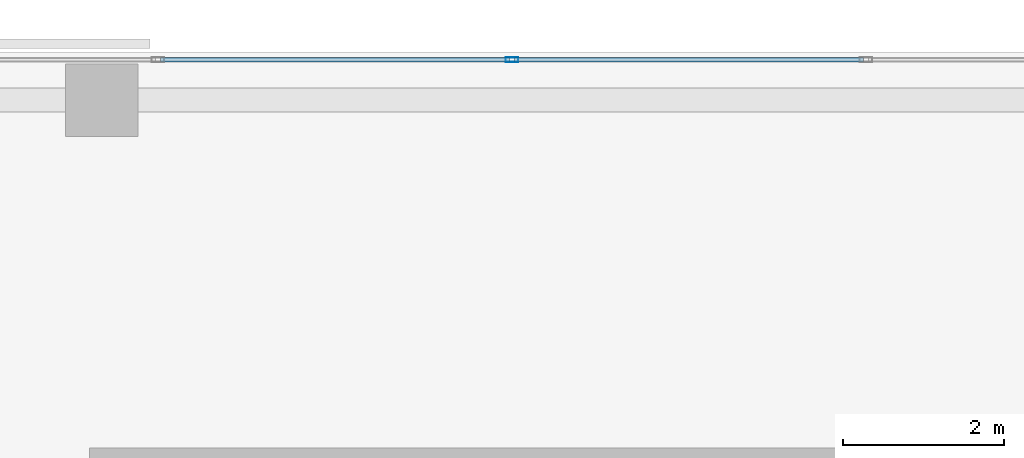
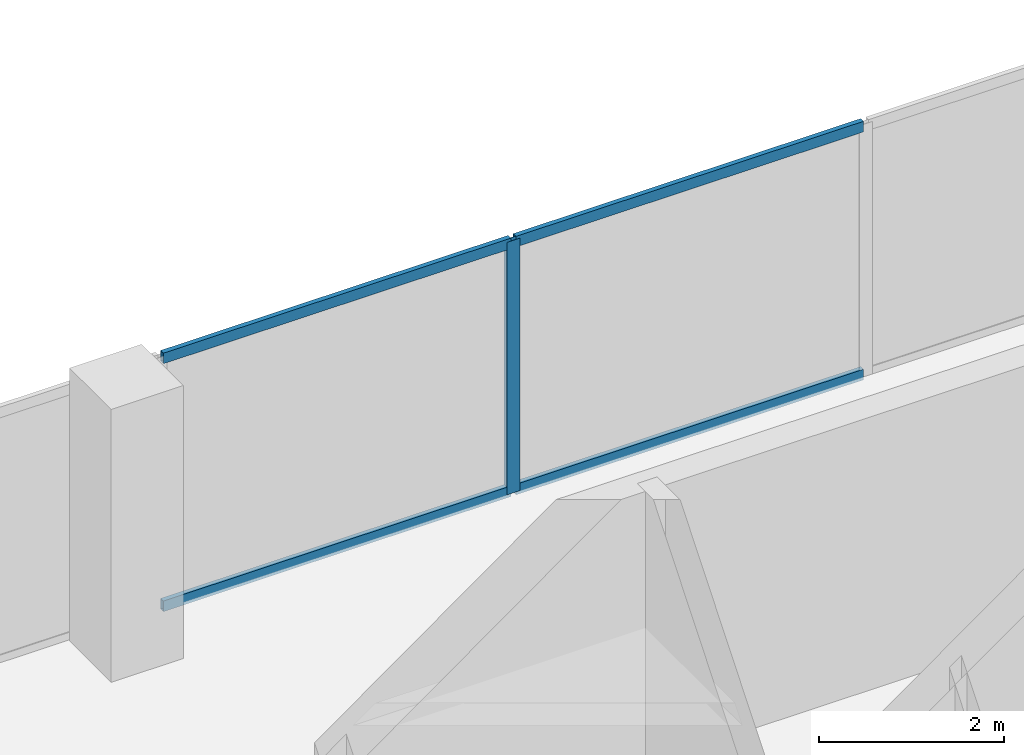
# One storey, part 20 of 33: 5 members, 1 element without a shape of its own.
"""IFC4 building model written with IfcOpenShell, lengths in metres."""

from ifc_helpers import new_model, si_unit, direction, frame, origin, origin_2d, place, context, subcontext, project, spatial, hollow_rectangle, extrude, material, layer, layer_set, material_profile, profile_set, type_object, element, aggregate, save


model = new_model("IFC4")

# Units and contexts
model_context = context("Model", 3, precision=1e-05, world=origin(), true_north=direction((0.0, 1.0)))
body_context = subcontext(model_context, "Body", "Model", "MODEL_VIEW")
ifc_project = project(units=[si_unit("LENGTHUNIT", "METRE"), si_unit("AREAUNIT", "SQUARE_METRE"), si_unit("VOLUMEUNIT", "CUBIC_METRE"), si_unit("PLANEANGLEUNIT", "RADIAN"), si_unit("MASSUNIT", "GRAM", prefix="KILO")], contexts=[model_context])

# Site, building, storey
site_placement = place(None, origin())
site = spatial("IfcSite", under=ifc_project, at=site_placement, CompositionType="ELEMENT")
building_placement = place(site_placement, origin())
building = spatial("IfcBuilding", under=site, at=building_placement, Name="Catumbela Crestline Tower", CompositionType="ELEMENT")
storey_placement = place(building_placement, frame((0.0, 0.0, 100.8)))
storey = spatial("IfcBuildingStorey", under=building, at=storey_placement, Name="L25", CompositionType="ELEMENT", Elevation=100.8)

# Curtain wall, members
ifc_material = material(Name="Aluminium alloy AW-6060-T66", Category="aluminium")
ifc_layer = layer(ifc_material, 0.18, Name="Aluminium alloy AW-6060-T66")
ifc_layer_set = layer_set([ifc_layer], Name="Aluminium alloy AW-6060-T66")
curtain_wall_type = type_object("IfcCurtainWallType", Name="CWU-Z2", PredefinedType="USERDEFINED", material=ifc_layer_set)
curtain_wall_placement = place(storey_placement, origin())
curtain_wall = element("IfcCurtainWall", 1, at=curtain_wall_placement, inside=storey, type_object=curtain_wall_type, Name="L25 Unitised Curtain Wall CW-L25-E7S1", ObjectType="UNITISED", PredefinedType="USERDEFINED")
ifc_material_profile_1 = material_profile(ifc_material, hollow_rectangle(XDim=0.06, YDim=0.16, WallThickness=0.004, at=origin_2d()), Name="ALU 160x60x4")
ifc_profile_set_1 = profile_set([ifc_material_profile_1], Name="Aluminium alloy AW-6060-T66")
member_type_1 = type_object("IfcMemberType", Name="MUL-160X60", PredefinedType="MULLION", material=ifc_profile_set_1)
member_1_placement = place(storey_placement, frame((21.1, 47.9, 0.0), z_axis=(0.0, 0.0, 1.0), x_axis=(0.0, -1.0, 0.0)))
member_1 = element("IfcMember", 2, at=member_1_placement, type_object=member_type_1, Name="CWU-Z2 mullion 7", PredefinedType="MULLION", context=body_context, shape_type="SweptSolid", body=[
    extrude(hollow_rectangle(XDim=0.06, YDim=0.16, WallThickness=0.004, at=origin_2d()), origin(), (0.0, 0.0, 1.0), 3.33),
])
ifc_material_profile_2 = material_profile(ifc_material, hollow_rectangle(XDim=0.06, YDim=0.14, WallThickness=0.004, at=origin_2d()), Name="ALU 140x60x4")
ifc_profile_set_2 = profile_set([ifc_material_profile_2], Name="Aluminium alloy AW-6060-T66")
member_type_2 = type_object("IfcMemberType", Name="TRN-140X60", PredefinedType="USERDEFINED", material=ifc_profile_set_2)
member_2_placement = place(storey_placement, frame((25.4675, 47.9, 0.03), z_axis=(-1.0, 0.0, 0.0), x_axis=(0.0, -1.0, 0.0)))
member_2 = element("IfcMember", 3, at=member_2_placement, type_object=member_type_2, Name="CWU-Z2 transom 6.1", ObjectType="TRANSOM", PredefinedType="USERDEFINED", context=body_context, shape_type="SweptSolid", body=[
    extrude(hollow_rectangle(XDim=0.06, YDim=0.14, WallThickness=0.004, at=origin_2d()), origin(), (0.0, 0.0, 1.0), 4.335),
])
member_3_placement = place(storey_placement, frame((25.4675, 47.9, 3.3), z_axis=(-1.0, 0.0, 0.0), x_axis=(0.0, -1.0, 0.0)))
member_3 = element("IfcMember", 4, at=member_3_placement, type_object=member_type_2, Name="CWU-Z2 transom 6.2", ObjectType="TRANSOM", PredefinedType="USERDEFINED", context=body_context, shape_type="SweptSolid", body=[
    extrude(hollow_rectangle(XDim=0.06, YDim=0.14, WallThickness=0.004, at=origin_2d()), origin(), (0.0, 0.0, 1.0), 4.335),
])
member_4_placement = place(storey_placement, frame((21.0675, 47.9, 0.03), z_axis=(-1.0, 0.0, 0.0), x_axis=(0.0, -1.0, 0.0)))
member_4 = element("IfcMember", 5, at=member_4_placement, type_object=member_type_2, Name="CWU-Z2 transom 7.1", ObjectType="TRANSOM", PredefinedType="USERDEFINED", context=body_context, shape_type="SweptSolid", body=[
    extrude(hollow_rectangle(XDim=0.06, YDim=0.14, WallThickness=0.004, at=origin_2d()), origin(), (0.0, 0.0, 1.0), 4.335),
])
member_5_placement = place(storey_placement, frame((21.0675, 47.9, 3.3), z_axis=(-1.0, 0.0, 0.0), x_axis=(0.0, -1.0, 0.0)))
member_5 = element("IfcMember", 6, at=member_5_placement, type_object=member_type_2, Name="CWU-Z2 transom 7.2", ObjectType="TRANSOM", PredefinedType="USERDEFINED", context=body_context, shape_type="SweptSolid", body=[
    extrude(hollow_rectangle(XDim=0.06, YDim=0.14, WallThickness=0.004, at=origin_2d()), origin(), (0.0, 0.0, 1.0), 4.335),
])
aggregate(curtain_wall, [member_1, member_2, member_3, member_4, member_5])

save(model, "model.ifc")
